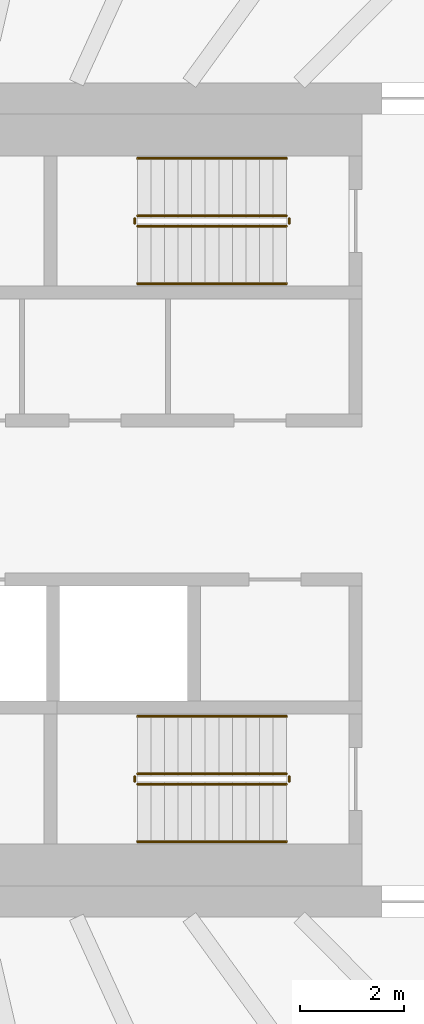
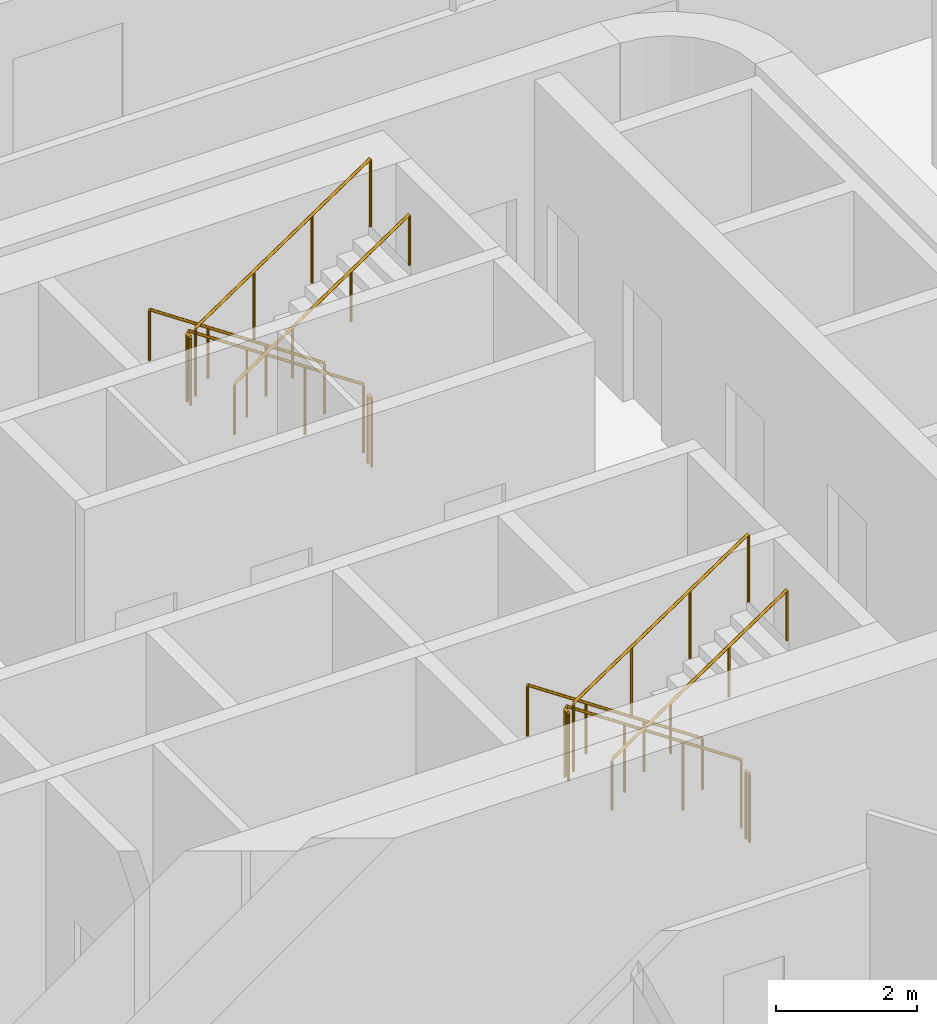
# One storey, part 23 of 26: 12 railings.
"""IFC4 building model written with IfcOpenShell, lengths in metres."""

from ifc_helpers import new_model, si_unit, direction, frame, origin, origin_2d, place, context, subcontext, project, spatial, circle, extrude, material, type_object, element, save


model = new_model("IFC4")

# Units and contexts
model_context = context("Model", 3, precision=1e-05, world=origin(), true_north=direction((0.0, 1.0)))
body_context = subcontext(model_context, "Body", "Model", "MODEL_VIEW")
ifc_project = project(units=[si_unit("LENGTHUNIT", "METRE"), si_unit("AREAUNIT", "SQUARE_METRE"), si_unit("VOLUMEUNIT", "CUBIC_METRE"), si_unit("PLANEANGLEUNIT", "RADIAN"), si_unit("MASSUNIT", "GRAM", prefix="KILO")], contexts=[model_context])

# Site, building, storey
site_placement = place(None, origin())
site = spatial("IfcSite", under=ifc_project, at=site_placement, CompositionType="ELEMENT")
building_placement = place(site_placement, origin())
building = spatial("IfcBuilding", under=site, at=building_placement, Name="Sahrelin Media Tower", CompositionType="ELEMENT")
storey_placement = place(building_placement, frame((0.0, 0.0, 102.0)))
storey = spatial("IfcBuildingStorey", under=building, at=storey_placement, Name="L19", CompositionType="ELEMENT", Elevation=102.0)

# Railings
ifc_material = material(Name="Steel S355", Category="steel")
railing_type_1 = type_object("IfcRailingType", Name="Stair guard 1200", PredefinedType="GUARDRAIL", material=ifc_material)
railing_1_placement = place(storey_placement, frame((7.675048828125, 5.449951171875, 0.175048828125)))
element("IfcRailing", 1, at=railing_1_placement, inside=storey, type_object=railing_type_1, Name="L19 ST3 stair guard 1", PredefinedType="GUARDRAIL", context=body_context, shape_type="SweptSolid", body=[
    extrude(circle(Radius=0.02392578125, at=origin_2d()), frame((0.0, 0.0, 1.17578125), z_axis=(-0.829590901723, 0.0, 0.558371682465), x_axis=(0.0, -1.0, 0.0)), (0.0, 0.0, 1.0), 3.447509765625),
    extrude(circle(Radius=0.02099609375, at=origin_2d()), origin(), (0.0, 0.0, 1.0), 1.15185546875),
    extrude(circle(Radius=0.02099609375, at=origin_2d()), frame((-0.953369140625, 0.0, 0.6416015625)), (0.0, 0.0, 1.0), 1.15185546875),
    extrude(circle(Radius=0.02099609375, at=origin_2d()), frame((-1.90673828125, 0.0, 1.283447265625)), (0.0, 0.0, 1.0), 1.15185546875),
    extrude(circle(Radius=0.02099609375, at=origin_2d()), frame((-2.860107421875, 0.0, 1.925048828125)), (0.0, 0.0, 1.0), 1.15185546875),
])
railing_2_placement = place(storey_placement, frame((4.764892578125, 5.39990234375, 2.10009765625)))
element("IfcRailing", 2, at=railing_2_placement, inside=storey, type_object=railing_type_1, Name="L19 ST3 stair guard 2", PredefinedType="GUARDRAIL", context=body_context, shape_type="SweptSolid", body=[
    extrude(circle(Radius=0.02392578125, at=origin_2d()), frame((0.0, 0.0, 1.17578125), z_axis=(0.0, -1.0, 0.0), x_axis=(1.0, 0.0, 0.0)), (0.0, 0.0, 1.0), 0.099853515625),
    extrude(circle(Radius=0.02099609375, at=origin_2d()), origin(), (0.0, 0.0, 1.0), 1.15185546875),
    extrude(circle(Radius=0.02099609375, at=origin_2d()), frame((0.0, -0.099853515625, 0.0)), (0.0, 0.0, 1.0), 1.15185546875),
])
railing_3_placement = place(storey_placement, frame((4.81494140625, 5.25, 2.27490234375)))
element("IfcRailing", 3, at=railing_3_placement, inside=storey, type_object=railing_type_1, Name="L19 ST3 stair guard 3", PredefinedType="GUARDRAIL", context=body_context, shape_type="SweptSolid", body=[
    extrude(circle(Radius=0.02392578125, at=origin_2d()), frame((0.0, 0.0, 1.17578125), z_axis=(0.829590901723, 0.0, 0.558371682465), x_axis=(0.0, 1.0, 0.0)), (0.0, 0.0, 1.0), 3.447509765625),
    extrude(circle(Radius=0.02099609375, at=origin_2d()), origin(), (0.0, 0.0, 1.0), 1.15185546875),
    extrude(circle(Radius=0.02099609375, at=origin_2d()), frame((0.953369140625, 0.0, 0.6416015625)), (0.0, 0.0, 1.0), 1.15185546875),
    extrude(circle(Radius=0.02099609375, at=origin_2d()), frame((1.90673828125, 0.0, 1.283447265625)), (0.0, 0.0, 1.0), 1.15185546875),
    extrude(circle(Radius=0.02099609375, at=origin_2d()), frame((2.860107421875, 0.0, 1.925048828125)), (0.0, 0.0, 1.0), 1.15185546875),
])
railing_4_placement = place(storey_placement, frame((7.72509765625, 5.39990234375, 0.0)))
element("IfcRailing", 4, at=railing_4_placement, inside=storey, type_object=railing_type_1, Name="L19 ST3 stair guard 4", PredefinedType="GUARDRAIL", context=body_context, shape_type="SweptSolid", body=[
    extrude(circle(Radius=0.02392578125, at=origin_2d()), frame((0.0, 0.0, 1.17578125), z_axis=(0.0, -1.0, 0.0), x_axis=(1.0, 0.0, 0.0)), (0.0, 0.0, 1.0), 0.099853515625),
    extrude(circle(Radius=0.02099609375, at=origin_2d()), origin(), (0.0, 0.0, 1.0), 1.15185546875),
    extrude(circle(Radius=0.02099609375, at=origin_2d()), frame((0.0, -0.099853515625, 0.0)), (0.0, 0.0, 1.0), 1.15185546875),
])
railing_5_placement = place(storey_placement, frame((7.675048828125, -5.25, 0.175048828125)))
element("IfcRailing", 5, at=railing_5_placement, inside=storey, type_object=railing_type_1, Name="L19 ST2 stair guard 1", PredefinedType="GUARDRAIL", context=body_context, shape_type="SweptSolid", body=[
    extrude(circle(Radius=0.02392578125, at=origin_2d()), frame((0.0, 0.0, 1.17578125), z_axis=(-0.829590901723, 0.0, 0.558371682465), x_axis=(0.0, -1.0, 0.0)), (0.0, 0.0, 1.0), 3.447509765625),
    extrude(circle(Radius=0.02099609375, at=origin_2d()), origin(), (0.0, 0.0, 1.0), 1.15185546875),
    extrude(circle(Radius=0.02099609375, at=origin_2d()), frame((-0.953369140625, 0.0, 0.6416015625)), (0.0, 0.0, 1.0), 1.15185546875),
    extrude(circle(Radius=0.02099609375, at=origin_2d()), frame((-1.90673828125, 0.0, 1.283447265625)), (0.0, 0.0, 1.0), 1.15185546875),
    extrude(circle(Radius=0.02099609375, at=origin_2d()), frame((-2.860107421875, 0.0, 1.925048828125)), (0.0, 0.0, 1.0), 1.15185546875),
])
railing_6_placement = place(storey_placement, frame((4.764892578125, -5.300048828125, 2.10009765625)))
element("IfcRailing", 6, at=railing_6_placement, inside=storey, type_object=railing_type_1, Name="L19 ST2 stair guard 2", PredefinedType="GUARDRAIL", context=body_context, shape_type="SweptSolid", body=[
    extrude(circle(Radius=0.02392578125, at=origin_2d()), frame((0.0, 0.0, 1.17578125), z_axis=(0.0, -1.0, 0.0), x_axis=(1.0, 0.0, 0.0)), (0.0, 0.0, 1.0), 0.099853515625),
    extrude(circle(Radius=0.02099609375, at=origin_2d()), origin(), (0.0, 0.0, 1.0), 1.15185546875),
    extrude(circle(Radius=0.02099609375, at=origin_2d()), frame((0.0, -0.099853515625, 0.0)), (0.0, 0.0, 1.0), 1.15185546875),
])
railing_7_placement = place(storey_placement, frame((4.81494140625, -5.449951171875, 2.27490234375)))
element("IfcRailing", 7, at=railing_7_placement, inside=storey, type_object=railing_type_1, Name="L19 ST2 stair guard 3", PredefinedType="GUARDRAIL", context=body_context, shape_type="SweptSolid", body=[
    extrude(circle(Radius=0.02392578125, at=origin_2d()), frame((0.0, 0.0, 1.17578125), z_axis=(0.829590901723, 0.0, 0.558371682465), x_axis=(0.0, 1.0, 0.0)), (0.0, 0.0, 1.0), 3.447509765625),
    extrude(circle(Radius=0.02099609375, at=origin_2d()), origin(), (0.0, 0.0, 1.0), 1.15185546875),
    extrude(circle(Radius=0.02099609375, at=origin_2d()), frame((0.953369140625, 0.0, 0.6416015625)), (0.0, 0.0, 1.0), 1.15185546875),
    extrude(circle(Radius=0.02099609375, at=origin_2d()), frame((1.90673828125, 0.0, 1.283447265625)), (0.0, 0.0, 1.0), 1.15185546875),
    extrude(circle(Radius=0.02099609375, at=origin_2d()), frame((2.860107421875, 0.0, 1.925048828125)), (0.0, 0.0, 1.0), 1.15185546875),
])
railing_8_placement = place(storey_placement, frame((7.72509765625, -5.300048828125, 0.0)))
element("IfcRailing", 8, at=railing_8_placement, inside=storey, type_object=railing_type_1, Name="L19 ST2 stair guard 4", PredefinedType="GUARDRAIL", context=body_context, shape_type="SweptSolid", body=[
    extrude(circle(Radius=0.02392578125, at=origin_2d()), frame((0.0, 0.0, 1.17578125), z_axis=(0.0, -1.0, 0.0), x_axis=(1.0, 0.0, 0.0)), (0.0, 0.0, 1.0), 0.099853515625),
    extrude(circle(Radius=0.02099609375, at=origin_2d()), origin(), (0.0, 0.0, 1.0), 1.15185546875),
    extrude(circle(Radius=0.02099609375, at=origin_2d()), frame((0.0, -0.099853515625, 0.0)), (0.0, 0.0, 1.0), 1.15185546875),
])
railing_type_2 = type_object("IfcRailingType", Name="Stair handrail 900", PredefinedType="HANDRAIL", material=ifc_material)
railing_9_placement = place(storey_placement, frame((7.675048828125, 6.550048828125, 0.175048828125)))
element("IfcRailing", 9, at=railing_9_placement, inside=storey, type_object=railing_type_2, Name="L19 ST3 stair handrail 1", PredefinedType="HANDRAIL", context=body_context, shape_type="SweptSolid", body=[
    extrude(circle(Radius=0.02392578125, at=origin_2d()), frame((0.0, 0.0, 0.8759765625), z_axis=(-0.829590901723, 0.0, 0.558371682465), x_axis=(0.0, -1.0, 0.0)), (0.0, 0.0, 1.0), 3.447509765625),
    extrude(circle(Radius=0.02099609375, at=origin_2d()), origin(), (0.0, 0.0, 1.0), 0.851806640625),
    extrude(circle(Radius=0.02099609375, at=origin_2d()), frame((-0.953369140625, 0.0, 0.6416015625)), (0.0, 0.0, 1.0), 0.851806640625),
    extrude(circle(Radius=0.02099609375, at=origin_2d()), frame((-1.90673828125, 0.0, 1.283447265625)), (0.0, 0.0, 1.0), 0.851806640625),
    extrude(circle(Radius=0.02099609375, at=origin_2d()), frame((-2.860107421875, 0.0, 1.925048828125)), (0.0, 0.0, 1.0), 0.851806640625),
])
railing_10_placement = place(storey_placement, frame((4.81494140625, 4.14990234375, 2.27490234375)))
element("IfcRailing", 10, at=railing_10_placement, inside=storey, type_object=railing_type_2, Name="L19 ST3 stair handrail 2", PredefinedType="HANDRAIL", context=body_context, shape_type="SweptSolid", body=[
    extrude(circle(Radius=0.02392578125, at=origin_2d()), frame((0.0, 0.0, 0.8759765625), z_axis=(0.829590901723, 0.0, 0.558371682465), x_axis=(0.0, 1.0, 0.0)), (0.0, 0.0, 1.0), 3.447509765625),
    extrude(circle(Radius=0.02099609375, at=origin_2d()), origin(), (0.0, 0.0, 1.0), 0.851806640625),
    extrude(circle(Radius=0.02099609375, at=origin_2d()), frame((0.953369140625, 0.0, 0.6416015625)), (0.0, 0.0, 1.0), 0.851806640625),
    extrude(circle(Radius=0.02099609375, at=origin_2d()), frame((1.90673828125, 0.0, 1.283447265625)), (0.0, 0.0, 1.0), 0.851806640625),
    extrude(circle(Radius=0.02099609375, at=origin_2d()), frame((2.860107421875, 0.0, 1.925048828125)), (0.0, 0.0, 1.0), 0.851806640625),
])
railing_11_placement = place(storey_placement, frame((7.675048828125, -4.14990234375, 0.175048828125)))
element("IfcRailing", 11, at=railing_11_placement, inside=storey, type_object=railing_type_2, Name="L19 ST2 stair handrail 1", PredefinedType="HANDRAIL", context=body_context, shape_type="SweptSolid", body=[
    extrude(circle(Radius=0.02392578125, at=origin_2d()), frame((0.0, 0.0, 0.8759765625), z_axis=(-0.829590901723, 0.0, 0.558371682465), x_axis=(0.0, -1.0, 0.0)), (0.0, 0.0, 1.0), 3.447509765625),
    extrude(circle(Radius=0.02099609375, at=origin_2d()), origin(), (0.0, 0.0, 1.0), 0.851806640625),
    extrude(circle(Radius=0.02099609375, at=origin_2d()), frame((-0.953369140625, 0.0, 0.6416015625)), (0.0, 0.0, 1.0), 0.851806640625),
    extrude(circle(Radius=0.02099609375, at=origin_2d()), frame((-1.90673828125, 0.0, 1.283447265625)), (0.0, 0.0, 1.0), 0.851806640625),
    extrude(circle(Radius=0.02099609375, at=origin_2d()), frame((-2.860107421875, 0.0, 1.925048828125)), (0.0, 0.0, 1.0), 0.851806640625),
])
railing_12_placement = place(storey_placement, frame((4.81494140625, -6.550048828125, 2.27490234375)))
element("IfcRailing", 12, at=railing_12_placement, inside=storey, type_object=railing_type_2, Name="L19 ST2 stair handrail 2", PredefinedType="HANDRAIL", context=body_context, shape_type="SweptSolid", body=[
    extrude(circle(Radius=0.02392578125, at=origin_2d()), frame((0.0, 0.0, 0.8759765625), z_axis=(0.829590901723, 0.0, 0.558371682465), x_axis=(0.0, 1.0, 0.0)), (0.0, 0.0, 1.0), 3.447509765625),
    extrude(circle(Radius=0.02099609375, at=origin_2d()), origin(), (0.0, 0.0, 1.0), 0.851806640625),
    extrude(circle(Radius=0.02099609375, at=origin_2d()), frame((0.953369140625, 0.0, 0.6416015625)), (0.0, 0.0, 1.0), 0.851806640625),
    extrude(circle(Radius=0.02099609375, at=origin_2d()), frame((1.90673828125, 0.0, 1.283447265625)), (0.0, 0.0, 1.0), 0.851806640625),
    extrude(circle(Radius=0.02099609375, at=origin_2d()), frame((2.860107421875, 0.0, 1.925048828125)), (0.0, 0.0, 1.0), 0.851806640625),
])

save(model, "model.ifc")
